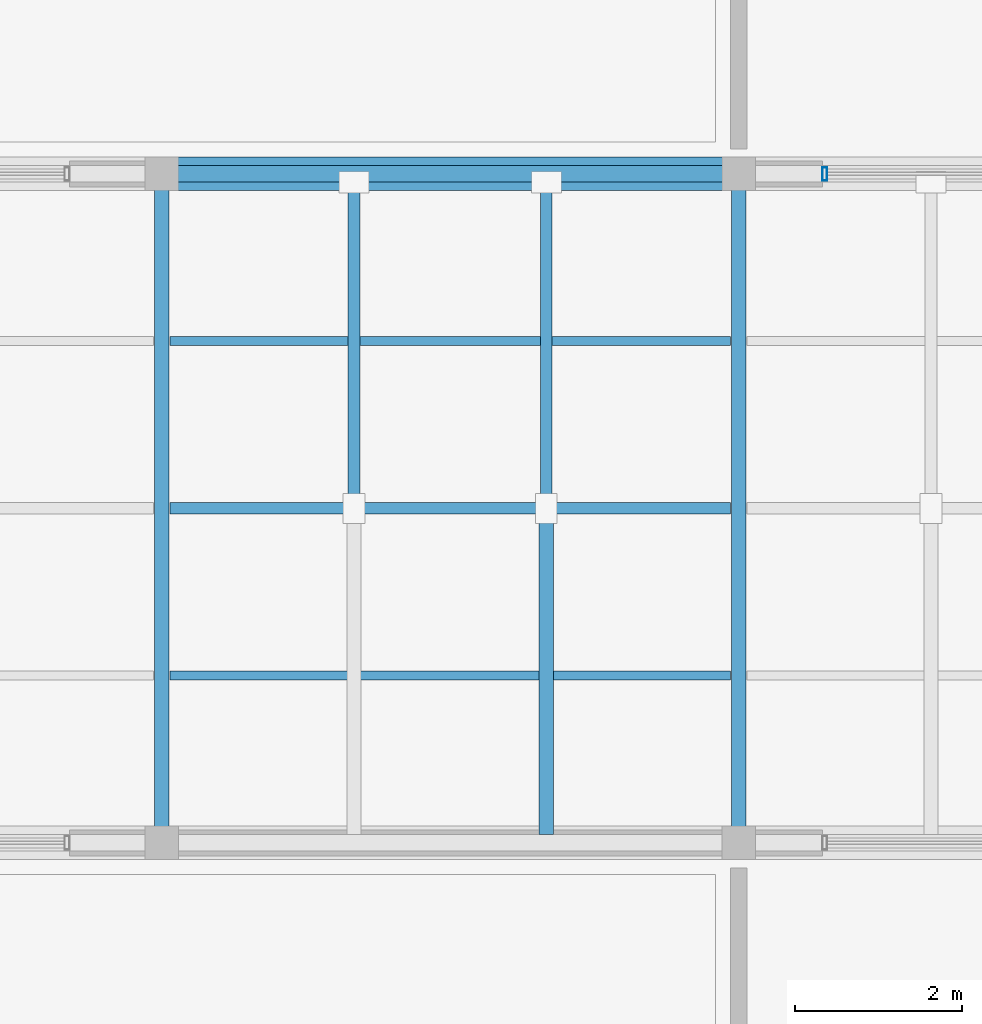
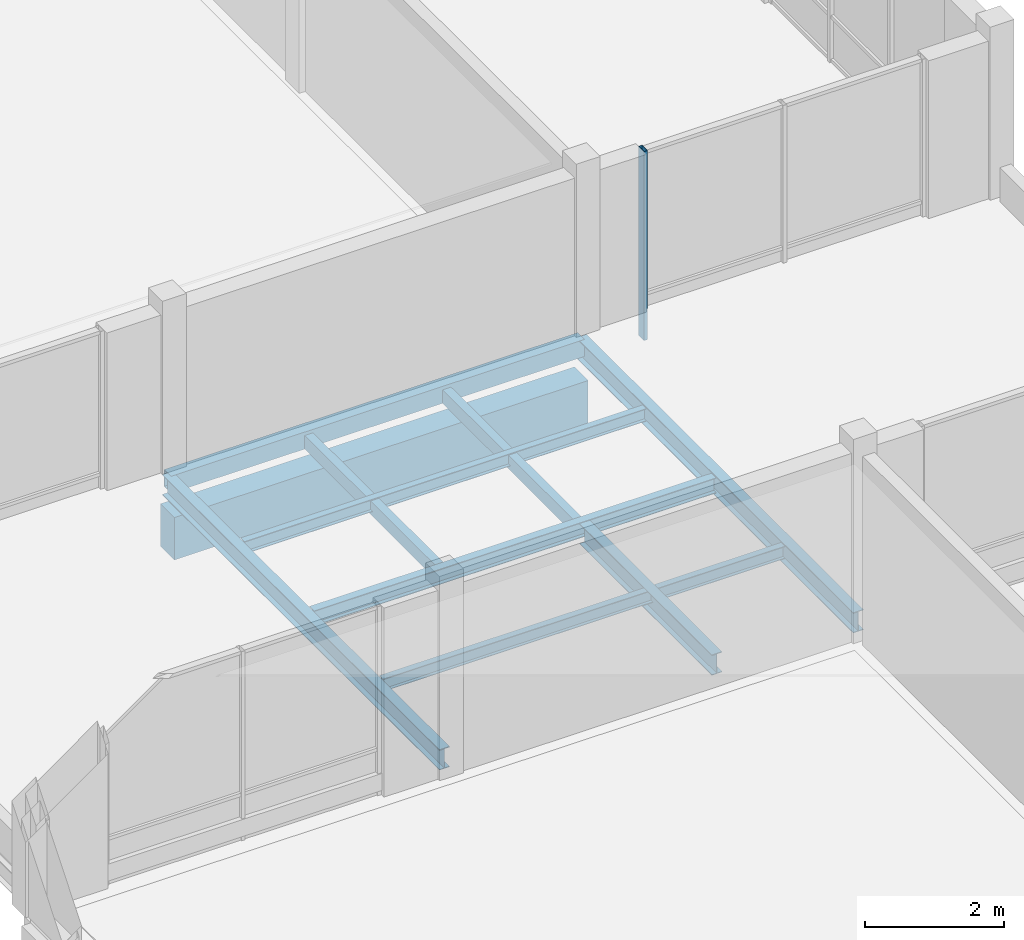
# One storey, part 31 of 189: 7 beams, 4 members, 1 element without a shape of its own.
"""IFC4 building model written with IfcOpenShell, lengths in metres."""

from ifc_helpers import new_model, si_unit, direction, frame, origin, origin_2d, place, context, subcontext, project, spatial, rectangle, hollow_rectangle, i_section, extrude, material, material_profile, profile_set, type_object, element, aggregate, save


model = new_model("IFC4")

# Units and contexts
model_context = context("Model", 3, precision=1e-05, world=origin(), true_north=direction((0.0, 1.0)))
body_context = subcontext(model_context, "Body", "Model", "MODEL_VIEW")
ifc_project = project(units=[si_unit("LENGTHUNIT", "METRE"), si_unit("AREAUNIT", "SQUARE_METRE"), si_unit("VOLUMEUNIT", "CUBIC_METRE"), si_unit("PLANEANGLEUNIT", "RADIAN"), si_unit("MASSUNIT", "GRAM", prefix="KILO")], contexts=[model_context])

# Site, building, storey
site_placement = place(None, origin())
site = spatial("IfcSite", under=ifc_project, at=site_placement, CompositionType="ELEMENT")
building_placement = place(site_placement, origin())
building = spatial("IfcBuilding", under=site, at=building_placement, Name="Zavelmont Quarter", CompositionType="ELEMENT")
storey_placement = place(building_placement, frame((0.0, 0.0, 4.39990234375)))
storey = spatial("IfcBuildingStorey", under=building, at=storey_placement, Name="L01", CompositionType="ELEMENT", Elevation=4.39990234375)

# Beams
ifc_material_1 = material(Name="Concrete C40/50", Category="concrete")
ifc_material_profile_1 = material_profile(ifc_material_1, rectangle(XDim=0.39990234375, YDim=0.75, at=origin_2d()), Name="RC400X750")
ifc_profile_set_1 = profile_set([ifc_material_profile_1], Name="Concrete C40/50")
beam_type_1 = type_object("IfcBeamType", Name="BM05", PredefinedType="BEAM", material=ifc_profile_set_1)
beam_1_placement = place(storey_placement, frame((6.89990234375, 62.0, -0.65478515625), z_axis=(1.0, 0.0, 0.0), x_axis=(0.0, 1.0, 0.0)))
element("IfcBeam", 1, at=beam_1_placement, inside=storey, type_object=beam_type_1, Name="L01 beam BM05 2/K to 3/K", PredefinedType="BEAM", context=body_context, shape_type="SweptSolid", body=[
    extrude(rectangle(XDim=0.39990234375, YDim=0.75, at=origin_2d()), origin(), (0.0, 0.0, 1.0), 6.900146484375),
])
ifc_material_2 = material(Name="Steel S355", Category="steel")
ifc_material_profile_2 = material_profile(ifc_material_2, i_section(OverallWidth=0.169921875, OverallDepth=0.360107421875, WebThickness=0.008056640625, FlangeThickness=0.0126953125, at=origin_2d()), Name="IPE 360")
ifc_profile_set_2 = profile_set([ifc_material_profile_2], Name="Steel S355")
beam_type_2 = type_object("IfcBeamType", Name="BM13", PredefinedType="BEAM", material=ifc_profile_set_2)
for number, where, z_axis, x_axis, name in (
    (2, (6.89990234375, 54.0, 0.205078125), (0.0, 1.0, 0.0), (-1.0, 0.0, 0.0), "L01 beam BM13 2/J to 2/K"),
    (3, (13.800048828125, 54.0, 0.205078125), (0.0, 1.0, 0.0), (-1.0, 0.0, 0.0), "L01 beam BM13 3/J to 3/K"),
):
    element("IfcBeam", number, at=place(storey_placement, frame(where, z_axis=z_axis, x_axis=x_axis)), inside=storey, type_object=beam_type_2, Name=name, PredefinedType="BEAM", context=body_context, shape_type="SweptSolid", body=[
        extrude(i_section(OverallWidth=0.169921875, OverallDepth=0.360107421875, WebThickness=0.008056640625, FlangeThickness=0.0126953125, at=origin_2d()), origin(), (0.0, 0.0, 1.0), 8.0),
    ])
ifc_material_profile_3 = material_profile(ifc_material_2, i_section(OverallWidth=0.135009765625, OverallDepth=0.27001953125, WebThickness=0.006591796875, FlangeThickness=0.01025390625, at=origin_2d()), Name="IPE 270")
ifc_profile_set_3 = profile_set([ifc_material_profile_3], Name="Steel S355")
beam_type_3 = type_object("IfcBeamType", Name="BM14", PredefinedType="JOIST", material=ifc_profile_set_3)
beam_2_placement = place(storey_placement, frame((7.0, 58.0, 0.25), z_axis=(1.0, 0.0, 0.0), x_axis=(0.0, 1.0, 0.0)))
element("IfcBeam", 4, at=beam_2_placement, inside=storey, type_object=beam_type_3, Name="L01 beam BM14 2/J to 3/J", PredefinedType="JOIST", context=body_context, shape_type="SweptSolid", body=[
    extrude(i_section(OverallWidth=0.135009765625, OverallDepth=0.27001953125, WebThickness=0.006591796875, FlangeThickness=0.01025390625, at=origin_2d()), origin(), (0.0, 0.0, 1.0), 6.699951171875),
])
ifc_material_profile_4 = material_profile(ifc_material_2, i_section(OverallWidth=0.110107421875, OverallDepth=0.219970703125, WebThickness=0.005859375, FlangeThickness=0.00927734375, at=origin_2d()), Name="IPE 220")
ifc_profile_set_4 = profile_set([ifc_material_profile_4], Name="Steel S355")
beam_type_4 = type_object("IfcBeamType", Name="BM15", PredefinedType="JOIST", material=ifc_profile_set_4)
for number, where, z_axis, x_axis, name in (
    (5, (7.0, 56.0, 0.275146484375), (1.0, 0.0, 0.0), (0.0, 1.0, 0.0), "L01 beam BM15 2/J to 3/J"),
    (6, (7.0, 60.0, 0.275146484375), (1.0, 0.0, 0.0), (0.0, 1.0, 0.0), "L01 beam BM15 2/K to 3/K"),
):
    element("IfcBeam", number, at=place(storey_placement, frame(where, z_axis=z_axis, x_axis=x_axis)), inside=storey, type_object=beam_type_4, Name=name, PredefinedType="JOIST", context=body_context, shape_type="SweptSolid", body=[
        extrude(i_section(OverallWidth=0.110107421875, OverallDepth=0.219970703125, WebThickness=0.005859375, FlangeThickness=0.00927734375, at=origin_2d()), origin(), (0.0, 0.0, 1.0), 6.699951171875),
    ])
ifc_material_profile_5 = material_profile(ifc_material_2, hollow_rectangle(XDim=0.199951171875, YDim=0.300048828125, WallThickness=0.012451171875, at=origin_2d()), Name="RHS 300X200X12.5")
ifc_profile_set_5 = profile_set([ifc_material_profile_5], Name="Steel S355")
beam_type_5 = type_object("IfcBeamType", Name="BM16", PredefinedType="BEAM", material=ifc_profile_set_5)
beam_3_placement = place(storey_placement, frame((6.89990234375, 62.0, 0.235107421875), z_axis=(1.0, 0.0, 0.0), x_axis=(0.0, 1.0, 0.0)))
element("IfcBeam", 7, at=beam_3_placement, inside=storey, type_object=beam_type_5, Name="L01 beam BM16 2/K to 3/K", PredefinedType="BEAM", context=body_context, shape_type="SweptSolid", body=[
    extrude(hollow_rectangle(XDim=0.199951171875, YDim=0.300048828125, WallThickness=0.012451171875, at=origin_2d()), origin(), (0.0, 0.0, 1.0), 6.900146484375),
])

# Members
ifc_material_profile_6 = material_profile(ifc_material_2, hollow_rectangle(XDim=0.139892578125, YDim=0.239990234375, WallThickness=0.010009765625, at=origin_2d()), Name="RHS 240X140X10")
ifc_profile_set_6 = profile_set([ifc_material_profile_6], Name="Steel S355")
member_type_1 = type_object("IfcMemberType", Name="CLM1", PredefinedType="CHORD", material=ifc_profile_set_6)
for number, where, z_axis, x_axis, name in (
    (8, (9.199951171875, 58.080078125, 0.205078125), (0.0, 1.0, 0.0), (-1.0, 0.0, 0.0), "L01 member CLM1 2/K to 2/K"),
    (9, (11.5, 58.080078125, 0.205078125), (0.0, 1.0, 0.0), (-1.0, 0.0, 0.0), "L01 member CLM1 3/K to 3/K"),
):
    element("IfcMember", number, at=place(storey_placement, frame(where, z_axis=z_axis, x_axis=x_axis)), inside=storey, type_object=member_type_1, Name=name, PredefinedType="CHORD", context=body_context, shape_type="SweptSolid", body=[
        extrude(hollow_rectangle(XDim=0.139892578125, YDim=0.239990234375, WallThickness=0.010009765625, at=origin_2d()), origin(), (0.0, 0.0, 1.0), 3.81982421875),
    ])

# Curtain wall, member
ifc_material_3 = material(Name="Thermally broken aluminium and double low-E safety glazing", Category="aluminium")
curtain_wall_type = type_object("IfcCurtainWallType", Name="CW-470X333", PredefinedType="NOTDEFINED", material=ifc_material_3)
curtain_wall_placement = place(storey_placement, origin())
curtain_wall = element("IfcCurtainWall", 10, at=curtain_wall_placement, inside=storey, type_object=curtain_wall_type, Name="L01 unitised curtain wall CW-470X333", PredefinedType="NOTDEFINED")
ifc_material_4 = material(Name="Powder-coated aluminium EN AW-6063-T6", Category="aluminium")
ifc_material_profile_7 = material_profile(ifc_material_4, hollow_rectangle(XDim=0.06005859375, YDim=0.159912109375, WallThickness=0.00390625, at=origin_2d()), Name="CWM60X160")
ifc_profile_set_7 = profile_set([ifc_material_profile_7], Name="Powder-coated aluminium EN AW-6063-T6")
member_type_2 = type_object("IfcMemberType", Name="CWM01", PredefinedType="MULLION", material=ifc_profile_set_7)
member_1_placement = place(storey_placement, frame((14.830078125, 62.0, 0.0), z_axis=(0.0, 0.0, 1.0), x_axis=(1.0, 0.0, 0.0)))
member_1 = element("IfcMember", 11, at=member_1_placement, type_object=member_type_2, Name="CW-470X333 mullion 1", PredefinedType="MULLION", context=body_context, shape_type="SweptSolid", body=[
    extrude(hollow_rectangle(XDim=0.06005859375, YDim=0.159912109375, WallThickness=0.00390625, at=origin_2d()), origin(), (0.0, 0.0, 1.0), 3.330078125),
])
aggregate(curtain_wall, [member_1])

# Member
ifc_material_profile_8 = material_profile(ifc_material_2, i_section(OverallWidth=0.169921875, OverallDepth=0.360107421875, WebThickness=0.008056640625, FlangeThickness=0.0126953125, at=origin_2d()), Name="IPE 360")
ifc_profile_set_8 = profile_set([ifc_material_profile_8], Name="Steel S355")
member_type_3 = type_object("IfcMemberType", Name="RFM2", PredefinedType="RAFTER", material=ifc_profile_set_8)
member_2_placement = place(storey_placement, frame((11.5, 54.10009765625, 0.205078125), z_axis=(0.0, 1.0, 0.0), x_axis=(-1.0, 0.0, 0.0)))
element("IfcMember", 12, at=member_2_placement, inside=storey, type_object=member_type_3, Name="L01 member RFM2 3/J to 3/J", PredefinedType="RAFTER", context=body_context, shape_type="SweptSolid", body=[
    extrude(i_section(OverallWidth=0.169921875, OverallDepth=0.360107421875, WebThickness=0.008056640625, FlangeThickness=0.0126953125, at=origin_2d()), origin(), (0.0, 0.0, 1.0), 3.81982421875),
])

save(model, "model.ifc")
